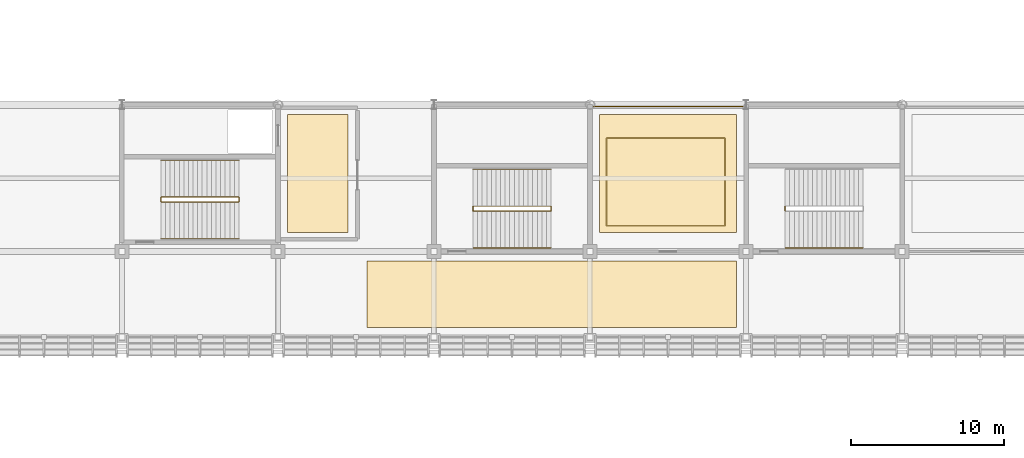
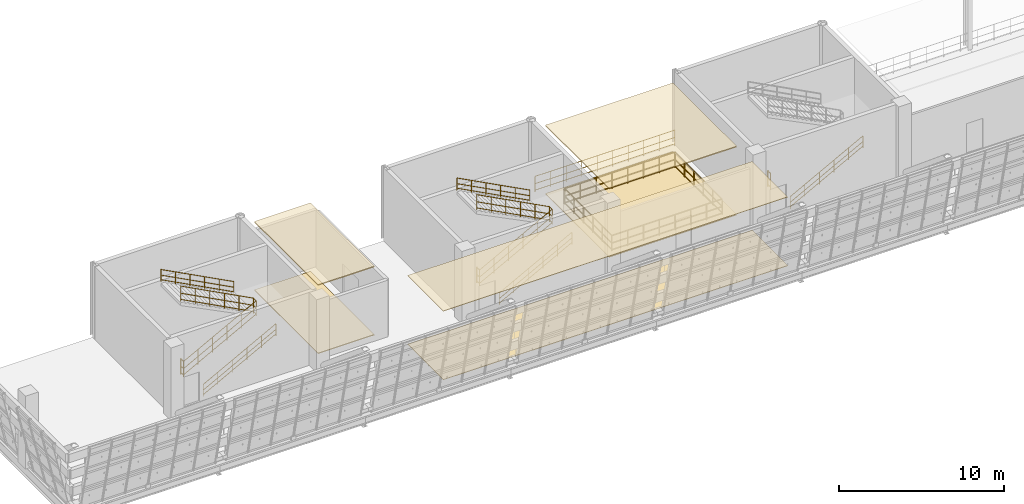
# One storey, part 152 of 175: 12 railings, 6 coverings.
"""IFC4 building model written with IfcOpenShell, lengths in metres."""

from ifc_helpers import new_model, si_unit, direction, frame, origin, origin_2d, place, context, subcontext, project, spatial, polyline, circle, outline, extrude, material, layer, layer_set, type_object, element, save


model = new_model("IFC4")

# Units and contexts
model_context = context("Model", 3, precision=1e-05, world=origin(), true_north=direction((0.0, 1.0)))
body_context = subcontext(model_context, "Body", "Model", "MODEL_VIEW")
ifc_project = project(units=[si_unit("LENGTHUNIT", "METRE"), si_unit("AREAUNIT", "SQUARE_METRE"), si_unit("VOLUMEUNIT", "CUBIC_METRE"), si_unit("PLANEANGLEUNIT", "RADIAN"), si_unit("MASSUNIT", "GRAM", prefix="KILO")], contexts=[model_context])

# Site, building, storey
site_placement = place(None, origin())
site = spatial("IfcSite", under=ifc_project, at=site_placement, CompositionType="ELEMENT")
building_placement = place(site_placement, origin())
building = spatial("IfcBuilding", under=site, at=building_placement, Name="Brelvane Convention Centre", CompositionType="ELEMENT")
storey_placement = place(building_placement, frame((0.0, 0.0, 5.39990234375)))
storey = spatial("IfcBuildingStorey", under=building, at=storey_placement, Name="L01", CompositionType="ELEMENT", Elevation=5.39990234375)

# Coverings
ifc_material_1 = material(Name="Perforated Anodised Aluminium Alloy 6063 Acoustic Baffle", Category="aluminium")
ifc_layer_1 = layer(ifc_material_1, 0.074951171875)
ifc_layer_set_1 = layer_set([ifc_layer_1], Name="Perforated Anodised Aluminium Alloy 6063 Acoustic Baffle")
covering_type_1 = type_object("IfcCoveringType", Name="Interior Finish CL-BAF-75", PredefinedType="CEILING", material=ifc_layer_set_1)
covering_1_placement = place(storey_placement, frame((0.0, 0.0, 5.045166015625)))
element("IfcCovering", 1, at=covering_1_placement, inside=storey, type_object=covering_type_1, Name="Firefighting Lift Lobby C1 Acoustic Ceiling (CL-BAF-75)", PredefinedType="CEILING", context=body_context, shape_type="SweptSolid", body=[
    extrude(outline(polyline([(21.030029296875, 20.429931640625), (24.969970703125, 20.429931640625), (24.969970703125, 28.169921875), (21.030029296875, 28.169921875), (21.030029296875, 20.429931640625)])), origin(), (0.0, 0.0, 1.0), 0.074951171875),
])
covering_2_placement = place(storey_placement, frame((0.0, 0.0, 5.045166015625)))
element("IfcCovering", 2, at=covering_2_placement, inside=storey, type_object=covering_type_1, Name="Exhibition Overlook Gallery West Acoustic Ceiling (CL-BAF-75)", PredefinedType="CEILING", context=body_context, shape_type="SweptSolid", body=[
    extrude(outline(polyline([(41.429931640625, 20.429931640625), (50.3701171875, 20.429931640625), (50.3701171875, 28.169921875), (41.429931640625, 28.169921875), (41.429931640625, 20.429931640625)])), origin(), (0.0, 0.0, 1.0), 0.074951171875),
])
ifc_material_2 = material(Name="Moisture-Resistant Acoustic Gypsum Ceiling Tile Grade A")
ifc_layer_2 = layer(ifc_material_2, 0.033935546875)
ifc_layer_set_2 = layer_set([ifc_layer_2], Name="Moisture-Resistant Acoustic Gypsum Ceiling Tile Grade A")
covering_type_2 = type_object("IfcCoveringType", Name="Interior Finish CL-GYP-34", PredefinedType="CEILING", material=ifc_layer_set_2)
covering_3_placement = place(storey_placement, frame((0.0, 0.0, 5.086181640625)))
element("IfcCovering", 3, at=covering_3_placement, inside=storey, type_object=covering_type_2, Name="Exhibition Organizer Suite 1 Acoustic Ceiling (CL-GYP-34)", PredefinedType="CEILING", context=body_context, shape_type="SweptSolid", body=[
    extrude(outline(polyline([(26.22998046875, 14.22998046875), (50.3701171875, 14.22998046875), (50.3701171875, 18.570068359375), (26.22998046875, 18.570068359375), (26.22998046875, 14.22998046875)])), origin(), (0.0, 0.0, 1.0), 0.033935546875),
])
ifc_material_3 = material(Name="Polished Basalt-Aggregate Terrazzo Screed Concrete M30", Category="masonry")
ifc_layer_3 = layer(ifc_material_3, 0.031982421875)
ifc_layer_set_3 = layer_set([ifc_layer_3], Name="Polished Basalt-Aggregate Terrazzo Screed Concrete M30")
covering_type_3 = type_object("IfcCoveringType", Name="Interior Finish FL-STN-32", PredefinedType="FLOORING", material=ifc_layer_set_3)
covering_4_placement = place(storey_placement, origin())
element("IfcCovering", 4, at=covering_4_placement, inside=storey, type_object=covering_type_3, Name="Exhibition Organizer Suite 1 Floor Finish (FL-STN-32)", PredefinedType="FLOORING", context=body_context, shape_type="SweptSolid", body=[
    extrude(outline(polyline([(26.22998046875, 14.22998046875), (50.3701171875, 14.22998046875), (50.3701171875, 18.570068359375), (26.22998046875, 18.570068359375), (26.22998046875, 14.22998046875)])), origin(), (0.0, 0.0, 1.0), 0.031982421875),
])
ifc_material_4 = material(Name="Polished Basalt-Aggregate Terrazzo Screed Concrete M30", Category="masonry")
ifc_layer_4 = layer(ifc_material_4, 0.050048828125)
ifc_layer_set_4 = layer_set([ifc_layer_4], Name="Polished Basalt-Aggregate Terrazzo Screed Concrete M30")
covering_type_4 = type_object("IfcCoveringType", Name="Interior Finish FL-TER-50", PredefinedType="FLOORING", material=ifc_layer_set_4)
covering_5_placement = place(storey_placement, origin())
element("IfcCovering", 5, at=covering_5_placement, inside=storey, type_object=covering_type_4, Name="Firefighting Lift Lobby C1 Floor Finish (FL-TER-50)", PredefinedType="FLOORING", context=body_context, shape_type="SweptSolid", body=[
    extrude(outline(polyline([(21.030029296875, 20.429931640625), (24.969970703125, 20.429931640625), (24.969970703125, 28.169921875), (21.030029296875, 28.169921875), (21.030029296875, 20.429931640625)])), origin(), (0.0, 0.0, 1.0), 0.050048828125),
])
covering_6_placement = place(storey_placement, origin())
element("IfcCovering", 6, at=covering_6_placement, inside=storey, type_object=covering_type_4, Name="Exhibition Overlook Gallery West Floor Finish (FL-TER-50)", PredefinedType="FLOORING", context=body_context, shape_type="SweptSolid", body=[
    extrude(outline(polyline([(41.429931640625, 20.429931640625), (50.3701171875, 20.429931640625), (50.3701171875, 28.169921875), (41.429931640625, 28.169921875), (41.429931640625, 20.429931640625)])), origin(), (0.0, 0.0, 1.0), 0.050048828125),
])

# Railings
ifc_material_5 = material(Name="Steel E350 (350 MPa)", Category="steel")
railing_type_1 = type_object("IfcRailingType", Name="Railing BL-ATR-1", PredefinedType="BALUSTRADE", material=ifc_material_5)
railing_1_placement = place(storey_placement, frame((41.0, 28.679931640625, 0.0)))
element("IfcRailing", 7, at=railing_1_placement, inside=storey, type_object=railing_type_1, Name="Railing BL-ATR-1 L01-exh_overlook_l01_w", PredefinedType="BALUSTRADE", context=body_context, shape_type="SweptSolid", body=[
    extrude(circle(Radius=0.02392578125, at=origin_2d()), frame((0.0, 0.0, 1.15576171875), z_axis=(1.0, 0.0, 0.0), x_axis=(0.0, 1.0, 0.0)), (0.0, 0.0, 1.0), 9.800048828125),
    extrude(circle(Radius=0.02392578125, at=origin_2d()), frame((0.0, 0.0, 0.613525390625), z_axis=(1.0, 0.0, 0.0), x_axis=(0.0, 1.0, 0.0)), (0.0, 0.0, 1.0), 9.800048828125),
    extrude(circle(Radius=0.02392578125, at=origin_2d()), frame((0.0, 0.0, 0.139892578125), z_axis=(1.0, 0.0, 0.0), x_axis=(0.0, 1.0, 0.0)), (0.0, 0.0, 1.0), 9.800048828125),
    extrude(circle(Radius=0.02099609375, at=origin_2d()), origin(), (0.0, 0.0, 1.0), 1.1318359375),
    extrude(circle(Radius=0.02099609375, at=origin_2d()), frame((1.0888671875, 0.0, 0.0)), (0.0, 0.0, 1.0), 1.1318359375),
    extrude(circle(Radius=0.02099609375, at=origin_2d()), frame((2.177734375, 0.0, 0.0)), (0.0, 0.0, 1.0), 1.1318359375),
    extrude(circle(Radius=0.02099609375, at=origin_2d()), frame((3.2666015625, 0.0, 0.0)), (0.0, 0.0, 1.0), 1.1318359375),
    extrude(circle(Radius=0.02099609375, at=origin_2d()), frame((4.35546875, 0.0, 0.0)), (0.0, 0.0, 1.0), 1.1318359375),
    extrude(circle(Radius=0.02099609375, at=origin_2d()), frame((5.444580078125, 0.0, 0.0)), (0.0, 0.0, 1.0), 1.1318359375),
    extrude(circle(Radius=0.02099609375, at=origin_2d()), frame((6.533447265625, 0.0, 0.0)), (0.0, 0.0, 1.0), 1.1318359375),
    extrude(circle(Radius=0.02099609375, at=origin_2d()), frame((7.622314453125, 0.0, 0.0)), (0.0, 0.0, 1.0), 1.1318359375),
    extrude(circle(Radius=0.02099609375, at=origin_2d()), frame((8.711181640625, 0.0, 0.0)), (0.0, 0.0, 1.0), 1.1318359375),
    extrude(circle(Radius=0.02099609375, at=origin_2d()), frame((9.800048828125, 0.0, 0.0)), (0.0, 0.0, 1.0), 1.1318359375),
])
ifc_material_6 = material(Name="Steel E350 (350 MPa)", Category="steel")
railing_type_2 = type_object("IfcRailingType", Name="Railing BL-ATR-2", PredefinedType="BALUSTRADE", material=ifc_material_6)
railing_2_placement = place(storey_placement, frame((41.8798828125, 20.8798828125, 0.0)))
element("IfcRailing", 8, at=railing_2_placement, inside=storey, type_object=railing_type_2, Name="Railing BL-ATR-2 L01-atrium_well_02", PredefinedType="BALUSTRADE", context=body_context, shape_type="SweptSolid", body=[
    extrude(circle(Radius=0.02392578125, at=origin_2d()), frame((0.0, 0.0, 1.19580078125), z_axis=(1.0, 0.0, 0.0), x_axis=(0.0, 1.0, 0.0)), (0.0, 0.0, 1.0), 7.740234375),
    extrude(circle(Radius=0.02392578125, at=origin_2d()), frame((0.0, 0.0, 0.63427734375), z_axis=(1.0, 0.0, 0.0), x_axis=(0.0, 1.0, 0.0)), (0.0, 0.0, 1.0), 7.740234375),
    extrude(circle(Radius=0.02392578125, at=origin_2d()), frame((0.0, 0.0, 0.139892578125), z_axis=(1.0, 0.0, 0.0), x_axis=(0.0, 1.0, 0.0)), (0.0, 0.0, 1.0), 7.740234375),
    extrude(circle(Radius=0.02392578125, at=origin_2d()), frame((7.740234375, 0.0, 1.19580078125), z_axis=(0.0, 1.0, 0.0), x_axis=(-1.0, 0.0, 0.0)), (0.0, 0.0, 1.0), 5.740234375),
    extrude(circle(Radius=0.02392578125, at=origin_2d()), frame((7.740234375, 0.0, 0.63427734375), z_axis=(0.0, 1.0, 0.0), x_axis=(-1.0, 0.0, 0.0)), (0.0, 0.0, 1.0), 5.740234375),
    extrude(circle(Radius=0.02392578125, at=origin_2d()), frame((7.740234375, 0.0, 0.139892578125), z_axis=(0.0, 1.0, 0.0), x_axis=(-1.0, 0.0, 0.0)), (0.0, 0.0, 1.0), 5.740234375),
    extrude(circle(Radius=0.02392578125, at=origin_2d()), frame((7.740234375, 5.740234375, 1.19580078125), z_axis=(-1.0, 0.0, 0.0), x_axis=(0.0, -1.0, 0.0)), (0.0, 0.0, 1.0), 7.740234375),
    extrude(circle(Radius=0.02392578125, at=origin_2d()), frame((7.740234375, 5.740234375, 0.63427734375), z_axis=(-1.0, 0.0, 0.0), x_axis=(0.0, -1.0, 0.0)), (0.0, 0.0, 1.0), 7.740234375),
    extrude(circle(Radius=0.02392578125, at=origin_2d()), frame((7.740234375, 5.740234375, 0.139892578125), z_axis=(-1.0, 0.0, 0.0), x_axis=(0.0, -1.0, 0.0)), (0.0, 0.0, 1.0), 7.740234375),
    extrude(circle(Radius=0.02392578125, at=origin_2d()), frame((0.0, 5.740234375, 1.19580078125), z_axis=(0.0, -1.0, 0.0), x_axis=(1.0, 0.0, 0.0)), (0.0, 0.0, 1.0), 5.735107421875),
    extrude(circle(Radius=0.02392578125, at=origin_2d()), frame((0.0, 5.740234375, 0.63427734375), z_axis=(0.0, -1.0, 0.0), x_axis=(1.0, 0.0, 0.0)), (0.0, 0.0, 1.0), 5.735107421875),
    extrude(circle(Radius=0.02392578125, at=origin_2d()), frame((0.0, 5.740234375, 0.139892578125), z_axis=(0.0, -1.0, 0.0), x_axis=(1.0, 0.0, 0.0)), (0.0, 0.0, 1.0), 5.735107421875),
    extrude(circle(Radius=0.02099609375, at=origin_2d()), origin(), (0.0, 0.0, 1.0), 1.171875),
    extrude(circle(Radius=0.02099609375, at=origin_2d()), frame((1.105712890625, 0.0, 0.0)), (0.0, 0.0, 1.0), 1.171875),
    extrude(circle(Radius=0.02099609375, at=origin_2d()), frame((2.21142578125, 0.0, 0.0)), (0.0, 0.0, 1.0), 1.171875),
    extrude(circle(Radius=0.02099609375, at=origin_2d()), frame((3.317138671875, 0.0, 0.0)), (0.0, 0.0, 1.0), 1.171875),
    extrude(circle(Radius=0.02099609375, at=origin_2d()), frame((4.423095703125, 0.0, 0.0)), (0.0, 0.0, 1.0), 1.171875),
    extrude(circle(Radius=0.02099609375, at=origin_2d()), frame((5.52880859375, 0.0, 0.0)), (0.0, 0.0, 1.0), 1.171875),
    extrude(circle(Radius=0.02099609375, at=origin_2d()), frame((6.634521484375, 0.0, 0.0)), (0.0, 0.0, 1.0), 1.171875),
    extrude(circle(Radius=0.02099609375, at=origin_2d()), frame((7.740234375, 0.0, 0.0)), (0.0, 0.0, 1.0), 1.171875),
    extrude(circle(Radius=0.02099609375, at=origin_2d()), frame((7.740234375, 1.14794921875, 0.0)), (0.0, 0.0, 1.0), 1.171875),
    extrude(circle(Radius=0.02099609375, at=origin_2d()), frame((7.740234375, 2.296142578125, 0.0)), (0.0, 0.0, 1.0), 1.171875),
    extrude(circle(Radius=0.02099609375, at=origin_2d()), frame((7.740234375, 3.444091796875, 0.0)), (0.0, 0.0, 1.0), 1.171875),
    extrude(circle(Radius=0.02099609375, at=origin_2d()), frame((7.740234375, 4.59228515625, 0.0)), (0.0, 0.0, 1.0), 1.171875),
    extrude(circle(Radius=0.02099609375, at=origin_2d()), frame((7.740234375, 5.740234375, 0.0)), (0.0, 0.0, 1.0), 1.171875),
    extrude(circle(Radius=0.02099609375, at=origin_2d()), frame((6.634521484375, 5.740234375, 0.0)), (0.0, 0.0, 1.0), 1.171875),
    extrude(circle(Radius=0.02099609375, at=origin_2d()), frame((5.52880859375, 5.740234375, 0.0)), (0.0, 0.0, 1.0), 1.171875),
    extrude(circle(Radius=0.02099609375, at=origin_2d()), frame((4.423095703125, 5.740234375, 0.0)), (0.0, 0.0, 1.0), 1.171875),
    extrude(circle(Radius=0.02099609375, at=origin_2d()), frame((3.317138671875, 5.740234375, 0.0)), (0.0, 0.0, 1.0), 1.171875),
    extrude(circle(Radius=0.02099609375, at=origin_2d()), frame((2.21142578125, 5.740234375, 0.0)), (0.0, 0.0, 1.0), 1.171875),
    extrude(circle(Radius=0.02099609375, at=origin_2d()), frame((1.105712890625, 5.740234375, 0.0)), (0.0, 0.0, 1.0), 1.171875),
    extrude(circle(Radius=0.02099609375, at=origin_2d()), frame((0.0, 5.740234375, 0.0)), (0.0, 0.0, 1.0), 1.171875),
    extrude(circle(Radius=0.02099609375, at=origin_2d()), frame((0.0, 4.59326171875, 0.0)), (0.0, 0.0, 1.0), 1.171875),
    extrude(circle(Radius=0.02099609375, at=origin_2d()), frame((0.0, 3.4462890625, 0.0)), (0.0, 0.0, 1.0), 1.171875),
    extrude(circle(Radius=0.02099609375, at=origin_2d()), frame((0.0, 2.299072265625, 0.0)), (0.0, 0.0, 1.0), 1.171875),
    extrude(circle(Radius=0.02099609375, at=origin_2d()), frame((0.0, 1.152099609375, 0.0)), (0.0, 0.0, 1.0), 1.171875),
    extrude(circle(Radius=0.02099609375, at=origin_2d()), frame((0.0, 0.005126953125, 0.0)), (0.0, 0.0, 1.0), 1.171875),
])
ifc_material_7 = material(Name="Steel E350 (350 MPa)", Category="steel")
railing_type_3 = type_object("IfcRailingType", Name="Stair Railing GR-ST-1", PredefinedType="GUARDRAIL", material=ifc_material_7)
railing_3_placement = place(storey_placement, frame((12.75, 22.43994140625, -0.02001953125)))
element("IfcRailing", 9, at=railing_3_placement, inside=storey, type_object=railing_type_3, Name="Stair ST-01 L01 Inner Well Guard", PredefinedType="GUARDRAIL", context=body_context, shape_type="SweptSolid", body=[
    extrude(circle(Radius=0.02392578125, at=origin_2d()), frame((0.0, 0.0, 1.1259765625), z_axis=(0.882341248864, 0.0, 0.470610157724), x_axis=(0.0, 1.0, 0.0)), (0.0, 0.0, 1.0), 5.7802734375),
    extrude(circle(Radius=0.02392578125, at=origin_2d()), frame((0.0, 0.0, 0.597900390625), z_axis=(0.882341248864, 0.0, 0.470610157724), x_axis=(0.0, 1.0, 0.0)), (0.0, 0.0, 1.0), 5.7802734375),
    extrude(circle(Radius=0.02392578125, at=origin_2d()), frame((0.0, 0.0, 0.139892578125), z_axis=(0.882341248864, 0.0, 0.470610157724), x_axis=(0.0, 1.0, 0.0)), (0.0, 0.0, 1.0), 5.7802734375),
    extrude(circle(Radius=0.02392578125, at=origin_2d()), frame((5.10009765625, 0.0, 3.84619140625), z_axis=(0.0, 1.0, 0.0), x_axis=(-1.0, 0.0, 0.0)), (0.0, 0.0, 1.0), 0.320068359375),
    extrude(circle(Radius=0.02392578125, at=origin_2d()), frame((5.10009765625, 0.0, 3.318115234375), z_axis=(0.0, 1.0, 0.0), x_axis=(-1.0, 0.0, 0.0)), (0.0, 0.0, 1.0), 0.320068359375),
    extrude(circle(Radius=0.02392578125, at=origin_2d()), frame((5.10009765625, 0.0, 2.860107421875), z_axis=(0.0, 1.0, 0.0), x_axis=(-1.0, 0.0, 0.0)), (0.0, 0.0, 1.0), 0.320068359375),
    extrude(circle(Radius=0.02392578125, at=origin_2d()), frame((5.10009765625, 0.320068359375, 3.84619140625), z_axis=(-0.885227801088, 0.0, 0.465157758379), x_axis=(0.0, -1.0, 0.0)), (0.0, 0.0, 1.0), 5.76123046875),
    extrude(circle(Radius=0.02392578125, at=origin_2d()), frame((5.10009765625, 0.320068359375, 3.318115234375), z_axis=(-0.885227801088, 0.0, 0.465157758379), x_axis=(0.0, -1.0, 0.0)), (0.0, 0.0, 1.0), 5.76123046875),
    extrude(circle(Radius=0.02392578125, at=origin_2d()), frame((5.10009765625, 0.320068359375, 2.860107421875), z_axis=(-0.885227801088, 0.0, 0.465157758379), x_axis=(0.0, -1.0, 0.0)), (0.0, 0.0, 1.0), 5.76123046875),
    extrude(circle(Radius=0.02099609375, at=origin_2d()), origin(), (0.0, 0.0, 1.0), 1.101806640625),
    extrude(circle(Radius=0.02099609375, at=origin_2d()), frame((1.02001953125, 0.0, 0.5439453125)), (0.0, 0.0, 1.0), 1.101806640625),
    extrude(circle(Radius=0.02099609375, at=origin_2d()), frame((2.0400390625, 0.0, 1.088134765625)), (0.0, 0.0, 1.0), 1.101806640625),
    extrude(circle(Radius=0.02099609375, at=origin_2d()), frame((3.06005859375, 0.0, 1.632080078125)), (0.0, 0.0, 1.0), 1.101806640625),
    extrude(circle(Radius=0.02099609375, at=origin_2d()), frame((4.080078125, 0.0, 2.17626953125)), (0.0, 0.0, 1.0), 1.101806640625),
    extrude(circle(Radius=0.02099609375, at=origin_2d()), frame((5.10009765625, 0.0, 2.72021484375)), (0.0, 0.0, 1.0), 1.101806640625),
    extrude(circle(Radius=0.02099609375, at=origin_2d()), frame((5.10009765625, 0.320068359375, 2.72021484375)), (0.0, 0.0, 1.0), 1.101806640625),
    extrude(circle(Radius=0.02099609375, at=origin_2d()), frame((4.080078125, 0.320068359375, 3.256103515625)), (0.0, 0.0, 1.0), 1.101806640625),
    extrude(circle(Radius=0.02099609375, at=origin_2d()), frame((3.06005859375, 0.320068359375, 3.792236328125)), (0.0, 0.0, 1.0), 1.101806640625),
    extrude(circle(Radius=0.02099609375, at=origin_2d()), frame((2.0400390625, 0.320068359375, 4.328125)), (0.0, 0.0, 1.0), 1.101806640625),
    extrude(circle(Radius=0.02099609375, at=origin_2d()), frame((1.02001953125, 0.320068359375, 4.8642578125)), (0.0, 0.0, 1.0), 1.101806640625),
    extrude(circle(Radius=0.02099609375, at=origin_2d()), frame((0.0, 0.320068359375, 5.400146484375)), (0.0, 0.0, 1.0), 1.101806640625),
])
railing_4_placement = place(storey_placement, frame((33.14990234375, 21.840087890625, -0.02001953125)))
element("IfcRailing", 10, at=railing_4_placement, inside=storey, type_object=railing_type_3, Name="Stair ST-19 L01 Inner Well Guard", PredefinedType="GUARDRAIL", context=body_context, shape_type="SweptSolid", body=[
    extrude(circle(Radius=0.02392578125, at=origin_2d()), frame((0.0, 0.0, 1.1259765625), z_axis=(0.882341248864, 0.0, 0.470610157724), x_axis=(0.0, 1.0, 0.0)), (0.0, 0.0, 1.0), 5.7802734375),
    extrude(circle(Radius=0.02392578125, at=origin_2d()), frame((0.0, 0.0, 0.597900390625), z_axis=(0.882341248864, 0.0, 0.470610157724), x_axis=(0.0, 1.0, 0.0)), (0.0, 0.0, 1.0), 5.7802734375),
    extrude(circle(Radius=0.02392578125, at=origin_2d()), frame((0.0, 0.0, 0.139892578125), z_axis=(0.882341248864, 0.0, 0.470610157724), x_axis=(0.0, 1.0, 0.0)), (0.0, 0.0, 1.0), 5.7802734375),
    extrude(circle(Radius=0.02392578125, at=origin_2d()), frame((5.10009765625, 0.0, 3.84619140625), z_axis=(0.0, 1.0, 0.0), x_axis=(-1.0, 0.0, 0.0)), (0.0, 0.0, 1.0), 0.31982421875),
    extrude(circle(Radius=0.02392578125, at=origin_2d()), frame((5.10009765625, 0.0, 3.318115234375), z_axis=(0.0, 1.0, 0.0), x_axis=(-1.0, 0.0, 0.0)), (0.0, 0.0, 1.0), 0.31982421875),
    extrude(circle(Radius=0.02392578125, at=origin_2d()), frame((5.10009765625, 0.0, 2.860107421875), z_axis=(0.0, 1.0, 0.0), x_axis=(-1.0, 0.0, 0.0)), (0.0, 0.0, 1.0), 0.31982421875),
    extrude(circle(Radius=0.02392578125, at=origin_2d()), frame((5.10009765625, 0.31982421875, 3.84619140625), z_axis=(-0.885227801088, 0.0, 0.465157758379), x_axis=(0.0, -1.0, 0.0)), (0.0, 0.0, 1.0), 5.76123046875),
    extrude(circle(Radius=0.02392578125, at=origin_2d()), frame((5.10009765625, 0.31982421875, 3.318115234375), z_axis=(-0.885227801088, 0.0, 0.465157758379), x_axis=(0.0, -1.0, 0.0)), (0.0, 0.0, 1.0), 5.76123046875),
    extrude(circle(Radius=0.02392578125, at=origin_2d()), frame((5.10009765625, 0.31982421875, 2.860107421875), z_axis=(-0.885227801088, 0.0, 0.465157758379), x_axis=(0.0, -1.0, 0.0)), (0.0, 0.0, 1.0), 5.76123046875),
    extrude(circle(Radius=0.02099609375, at=origin_2d()), origin(), (0.0, 0.0, 1.0), 1.101806640625),
    extrude(circle(Radius=0.02099609375, at=origin_2d()), frame((1.02001953125, 0.0, 0.5439453125)), (0.0, 0.0, 1.0), 1.101806640625),
    extrude(circle(Radius=0.02099609375, at=origin_2d()), frame((2.0400390625, 0.0, 1.088134765625)), (0.0, 0.0, 1.0), 1.101806640625),
    extrude(circle(Radius=0.02099609375, at=origin_2d()), frame((3.06005859375, 0.0, 1.632080078125)), (0.0, 0.0, 1.0), 1.101806640625),
    extrude(circle(Radius=0.02099609375, at=origin_2d()), frame((4.080078125, 0.0, 2.17626953125)), (0.0, 0.0, 1.0), 1.101806640625),
    extrude(circle(Radius=0.02099609375, at=origin_2d()), frame((5.10009765625, 0.0, 2.72021484375)), (0.0, 0.0, 1.0), 1.101806640625),
    extrude(circle(Radius=0.02099609375, at=origin_2d()), frame((5.10009765625, 0.31982421875, 2.72021484375)), (0.0, 0.0, 1.0), 1.101806640625),
    extrude(circle(Radius=0.02099609375, at=origin_2d()), frame((4.080078125, 0.31982421875, 3.256103515625)), (0.0, 0.0, 1.0), 1.101806640625),
    extrude(circle(Radius=0.02099609375, at=origin_2d()), frame((3.06005859375, 0.31982421875, 3.792236328125)), (0.0, 0.0, 1.0), 1.101806640625),
    extrude(circle(Radius=0.02099609375, at=origin_2d()), frame((2.0400390625, 0.31982421875, 4.328125)), (0.0, 0.0, 1.0), 1.101806640625),
    extrude(circle(Radius=0.02099609375, at=origin_2d()), frame((1.02001953125, 0.31982421875, 4.8642578125)), (0.0, 0.0, 1.0), 1.101806640625),
    extrude(circle(Radius=0.02099609375, at=origin_2d()), frame((0.0, 0.31982421875, 5.400146484375)), (0.0, 0.0, 1.0), 1.101806640625),
])
ifc_material_8 = material(Name="Steel E350 (350 MPa)", Category="steel")
railing_type_4 = type_object("IfcRailingType", Name="Stair Railing GR-ST-2", PredefinedType="GUARDRAIL", material=ifc_material_8)
railing_5_placement = place(storey_placement, frame((12.75, 22.43994140625, -0.02001953125)))
element("IfcRailing", 11, at=railing_5_placement, inside=storey, type_object=railing_type_4, Name="Stair ST-01 L01 Landing Well Guard", PredefinedType="GUARDRAIL", context=body_context, shape_type="SweptSolid", body=[
    extrude(circle(Radius=0.02392578125, at=origin_2d()), frame((0.0, 0.0, 1.15576171875), z_axis=(0.0, 1.0, 0.0), x_axis=(-1.0, 0.0, 0.0)), (0.0, 0.0, 1.0), 0.320068359375),
    extrude(circle(Radius=0.02392578125, at=origin_2d()), frame((0.0, 0.0, 0.613525390625), z_axis=(0.0, 1.0, 0.0), x_axis=(-1.0, 0.0, 0.0)), (0.0, 0.0, 1.0), 0.320068359375),
    extrude(circle(Radius=0.02392578125, at=origin_2d()), frame((0.0, 0.0, 0.139892578125), z_axis=(0.0, 1.0, 0.0), x_axis=(-1.0, 0.0, 0.0)), (0.0, 0.0, 1.0), 0.320068359375),
    extrude(circle(Radius=0.02099609375, at=origin_2d()), origin(), (0.0, 0.0, 1.0), 1.1318359375),
    extrude(circle(Radius=0.02099609375, at=origin_2d()), frame((0.0, 0.320068359375, 0.0)), (0.0, 0.0, 1.0), 1.1318359375),
])
for number, where, name in (
    (12, (53.550048828125, 21.840087890625, -0.02001953125), "Stair ST-09 L01 Landing Well Guard"),
    (13, (33.14990234375, 21.840087890625, -0.02001953125), "Stair ST-19 L01 Landing Well Guard"),
):
    element("IfcRailing", number, at=place(storey_placement, frame(where)), inside=storey, type_object=railing_type_4, Name=name, PredefinedType="GUARDRAIL", context=body_context, shape_type="SweptSolid", body=[
        extrude(circle(Radius=0.02392578125, at=origin_2d()), frame((0.0, 0.0, 1.15576171875), z_axis=(0.0, 1.0, 0.0), x_axis=(-1.0, 0.0, 0.0)), (0.0, 0.0, 1.0), 0.31982421875),
        extrude(circle(Radius=0.02392578125, at=origin_2d()), frame((0.0, 0.0, 0.613525390625), z_axis=(0.0, 1.0, 0.0), x_axis=(-1.0, 0.0, 0.0)), (0.0, 0.0, 1.0), 0.31982421875),
        extrude(circle(Radius=0.02392578125, at=origin_2d()), frame((0.0, 0.0, 0.139892578125), z_axis=(0.0, 1.0, 0.0), x_axis=(-1.0, 0.0, 0.0)), (0.0, 0.0, 1.0), 0.31982421875),
        extrude(circle(Radius=0.02099609375, at=origin_2d()), origin(), (0.0, 0.0, 1.0), 1.1318359375),
        extrude(circle(Radius=0.02099609375, at=origin_2d()), frame((0.0, 0.31982421875, 0.0)), (0.0, 0.0, 1.0), 1.1318359375),
    ])
ifc_material_9 = material(Name="Steel E350 (350 MPa)", Category="steel")
railing_type_5 = type_object("IfcRailingType", Name="Stair Railing HR-ST-1", PredefinedType="HANDRAIL", material=ifc_material_9)
railing_6_placement = place(storey_placement, frame((12.75, 20.030029296875, -0.02001953125)))
element("IfcRailing", 14, at=railing_6_placement, inside=storey, type_object=railing_type_5, Name="Stair ST-01 L01 Outer Handrail F1", PredefinedType="HANDRAIL", context=body_context, shape_type="SweptSolid", body=[
    extrude(circle(Radius=0.02392578125, at=origin_2d()), frame((0.0, 0.0, 0.89599609375), z_axis=(0.882341248864, 0.0, 0.470610157724), x_axis=(0.0, 1.0, 0.0)), (0.0, 0.0, 1.0), 5.7802734375),
    extrude(circle(Radius=0.02392578125, at=origin_2d()), frame((0.0, 0.0, 0.478271484375), z_axis=(0.882341248864, 0.0, 0.470610157724), x_axis=(0.0, 1.0, 0.0)), (0.0, 0.0, 1.0), 5.7802734375),
    extrude(circle(Radius=0.02392578125, at=origin_2d()), frame((0.0, 0.0, 0.139892578125), z_axis=(0.882341248864, 0.0, 0.470610157724), x_axis=(0.0, 1.0, 0.0)), (0.0, 0.0, 1.0), 5.7802734375),
    extrude(circle(Radius=0.02099609375, at=origin_2d()), origin(), (0.0, 0.0, 1.0), 0.871826171875),
    extrude(circle(Radius=0.02099609375, at=origin_2d()), frame((1.02001953125, 0.0, 0.5439453125)), (0.0, 0.0, 1.0), 0.871826171875),
    extrude(circle(Radius=0.02099609375, at=origin_2d()), frame((2.0400390625, 0.0, 1.088134765625)), (0.0, 0.0, 1.0), 0.871826171875),
    extrude(circle(Radius=0.02099609375, at=origin_2d()), frame((3.06005859375, 0.0, 1.632080078125)), (0.0, 0.0, 1.0), 0.871826171875),
    extrude(circle(Radius=0.02099609375, at=origin_2d()), frame((4.080078125, 0.0, 2.17626953125)), (0.0, 0.0, 1.0), 0.871826171875),
    extrude(circle(Radius=0.02099609375, at=origin_2d()), frame((5.10009765625, 0.0, 2.72021484375)), (0.0, 0.0, 1.0), 0.871826171875),
])
railing_7_placement = place(storey_placement, frame((17.85009765625, 25.169921875, 2.7001953125)))
element("IfcRailing", 15, at=railing_7_placement, inside=storey, type_object=railing_type_5, Name="Stair ST-01 L01 Outer Handrail F2", PredefinedType="HANDRAIL", context=body_context, shape_type="SweptSolid", body=[
    extrude(circle(Radius=0.02392578125, at=origin_2d()), frame((0.0, 0.0, 0.89599609375), z_axis=(-0.885227801088, 0.0, 0.465157758379), x_axis=(0.0, -1.0, 0.0)), (0.0, 0.0, 1.0), 5.76123046875),
    extrude(circle(Radius=0.02392578125, at=origin_2d()), frame((0.0, 0.0, 0.478271484375), z_axis=(-0.885227801088, 0.0, 0.465157758379), x_axis=(0.0, -1.0, 0.0)), (0.0, 0.0, 1.0), 5.76123046875),
    extrude(circle(Radius=0.02392578125, at=origin_2d()), frame((0.0, 0.0, 0.139892578125), z_axis=(-0.885227801088, 0.0, 0.465157758379), x_axis=(0.0, -1.0, 0.0)), (0.0, 0.0, 1.0), 5.76123046875),
    extrude(circle(Radius=0.02099609375, at=origin_2d()), origin(), (0.0, 0.0, 1.0), 0.871826171875),
    extrude(circle(Radius=0.02099609375, at=origin_2d()), frame((-1.02001953125, 0.0, 0.535888671875)), (0.0, 0.0, 1.0), 0.871826171875),
    extrude(circle(Radius=0.02099609375, at=origin_2d()), frame((-2.0400390625, 0.0, 1.072021484375)), (0.0, 0.0, 1.0), 0.871826171875),
    extrude(circle(Radius=0.02099609375, at=origin_2d()), frame((-3.06005859375, 0.0, 1.60791015625)), (0.0, 0.0, 1.0), 0.871826171875),
    extrude(circle(Radius=0.02099609375, at=origin_2d()), frame((-4.080078125, 0.0, 2.14404296875)), (0.0, 0.0, 1.0), 0.871826171875),
    extrude(circle(Radius=0.02099609375, at=origin_2d()), frame((-5.10009765625, 0.0, 2.679931640625)), (0.0, 0.0, 1.0), 0.871826171875),
])
railing_8_placement = place(storey_placement, frame((53.550048828125, 19.429931640625, -0.02001953125)))
element("IfcRailing", 16, at=railing_8_placement, inside=storey, type_object=railing_type_5, Name="Stair ST-09 L01 Outer Handrail F1", PredefinedType="HANDRAIL", context=body_context, shape_type="SweptSolid", body=[
    extrude(circle(Radius=0.02392578125, at=origin_2d()), frame((0.0, 0.0, 0.89599609375), z_axis=(0.882331893838, 0.0, 0.470627696929), x_axis=(0.0, 1.0, 0.0)), (0.0, 0.0, 1.0), 5.780029296875),
    extrude(circle(Radius=0.02392578125, at=origin_2d()), frame((0.0, 0.0, 0.478271484375), z_axis=(0.882331893838, 0.0, 0.470627696929), x_axis=(0.0, 1.0, 0.0)), (0.0, 0.0, 1.0), 5.780029296875),
    extrude(circle(Radius=0.02392578125, at=origin_2d()), frame((0.0, 0.0, 0.139892578125), z_axis=(0.882331893838, 0.0, 0.470627696929), x_axis=(0.0, 1.0, 0.0)), (0.0, 0.0, 1.0), 5.780029296875),
    extrude(circle(Radius=0.02099609375, at=origin_2d()), origin(), (0.0, 0.0, 1.0), 0.871826171875),
    extrude(circle(Radius=0.02099609375, at=origin_2d()), frame((1.02001953125, 0.0, 0.5439453125)), (0.0, 0.0, 1.0), 0.871826171875),
    extrude(circle(Radius=0.02099609375, at=origin_2d()), frame((2.0400390625, 0.0, 1.088134765625)), (0.0, 0.0, 1.0), 0.871826171875),
    extrude(circle(Radius=0.02099609375, at=origin_2d()), frame((3.059814453125, 0.0, 1.632080078125)), (0.0, 0.0, 1.0), 0.871826171875),
    extrude(circle(Radius=0.02099609375, at=origin_2d()), frame((4.079833984375, 0.0, 2.17626953125)), (0.0, 0.0, 1.0), 0.871826171875),
    extrude(circle(Radius=0.02099609375, at=origin_2d()), frame((5.099853515625, 0.0, 2.72021484375)), (0.0, 0.0, 1.0), 0.871826171875),
])
railing_9_placement = place(storey_placement, frame((33.14990234375, 19.429931640625, -0.02001953125)))
element("IfcRailing", 17, at=railing_9_placement, inside=storey, type_object=railing_type_5, Name="Stair ST-19 L01 Outer Handrail F1", PredefinedType="HANDRAIL", context=body_context, shape_type="SweptSolid", body=[
    extrude(circle(Radius=0.02392578125, at=origin_2d()), frame((0.0, 0.0, 0.89599609375), z_axis=(0.882341248864, 0.0, 0.470610157724), x_axis=(0.0, 1.0, 0.0)), (0.0, 0.0, 1.0), 5.7802734375),
    extrude(circle(Radius=0.02392578125, at=origin_2d()), frame((0.0, 0.0, 0.478271484375), z_axis=(0.882341248864, 0.0, 0.470610157724), x_axis=(0.0, 1.0, 0.0)), (0.0, 0.0, 1.0), 5.7802734375),
    extrude(circle(Radius=0.02392578125, at=origin_2d()), frame((0.0, 0.0, 0.139892578125), z_axis=(0.882341248864, 0.0, 0.470610157724), x_axis=(0.0, 1.0, 0.0)), (0.0, 0.0, 1.0), 5.7802734375),
    extrude(circle(Radius=0.02099609375, at=origin_2d()), origin(), (0.0, 0.0, 1.0), 0.871826171875),
    extrude(circle(Radius=0.02099609375, at=origin_2d()), frame((1.02001953125, 0.0, 0.5439453125)), (0.0, 0.0, 1.0), 0.871826171875),
    extrude(circle(Radius=0.02099609375, at=origin_2d()), frame((2.0400390625, 0.0, 1.088134765625)), (0.0, 0.0, 1.0), 0.871826171875),
    extrude(circle(Radius=0.02099609375, at=origin_2d()), frame((3.06005859375, 0.0, 1.632080078125)), (0.0, 0.0, 1.0), 0.871826171875),
    extrude(circle(Radius=0.02099609375, at=origin_2d()), frame((4.080078125, 0.0, 2.17626953125)), (0.0, 0.0, 1.0), 0.871826171875),
    extrude(circle(Radius=0.02099609375, at=origin_2d()), frame((5.10009765625, 0.0, 2.72021484375)), (0.0, 0.0, 1.0), 0.871826171875),
])
railing_10_placement = place(storey_placement, frame((38.25, 24.570068359375, 2.7001953125)))
element("IfcRailing", 18, at=railing_10_placement, inside=storey, type_object=railing_type_5, Name="Stair ST-19 L01 Outer Handrail F2", PredefinedType="HANDRAIL", context=body_context, shape_type="SweptSolid", body=[
    extrude(circle(Radius=0.02392578125, at=origin_2d()), frame((0.0, 0.0, 0.89599609375), z_axis=(-0.885227801088, 0.0, 0.465157758379), x_axis=(0.0, -1.0, 0.0)), (0.0, 0.0, 1.0), 5.76123046875),
    extrude(circle(Radius=0.02392578125, at=origin_2d()), frame((0.0, 0.0, 0.478271484375), z_axis=(-0.885227801088, 0.0, 0.465157758379), x_axis=(0.0, -1.0, 0.0)), (0.0, 0.0, 1.0), 5.76123046875),
    extrude(circle(Radius=0.02392578125, at=origin_2d()), frame((0.0, 0.0, 0.139892578125), z_axis=(-0.885227801088, 0.0, 0.465157758379), x_axis=(0.0, -1.0, 0.0)), (0.0, 0.0, 1.0), 5.76123046875),
    extrude(circle(Radius=0.02099609375, at=origin_2d()), origin(), (0.0, 0.0, 1.0), 0.871826171875),
    extrude(circle(Radius=0.02099609375, at=origin_2d()), frame((-1.02001953125, 0.0, 0.535888671875)), (0.0, 0.0, 1.0), 0.871826171875),
    extrude(circle(Radius=0.02099609375, at=origin_2d()), frame((-2.0400390625, 0.0, 1.072021484375)), (0.0, 0.0, 1.0), 0.871826171875),
    extrude(circle(Radius=0.02099609375, at=origin_2d()), frame((-3.06005859375, 0.0, 1.60791015625)), (0.0, 0.0, 1.0), 0.871826171875),
    extrude(circle(Radius=0.02099609375, at=origin_2d()), frame((-4.080078125, 0.0, 2.14404296875)), (0.0, 0.0, 1.0), 0.871826171875),
    extrude(circle(Radius=0.02099609375, at=origin_2d()), frame((-5.10009765625, 0.0, 2.679931640625)), (0.0, 0.0, 1.0), 0.871826171875),
])

save(model, "model.ifc")
